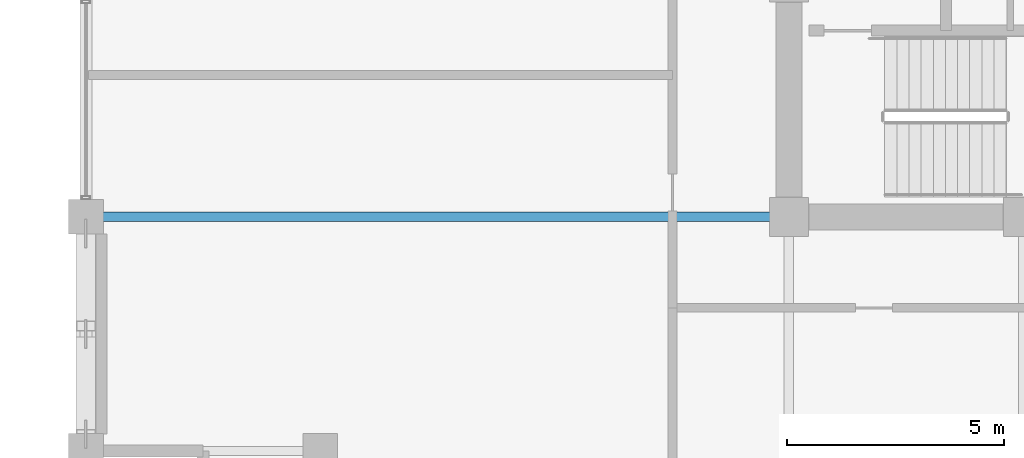
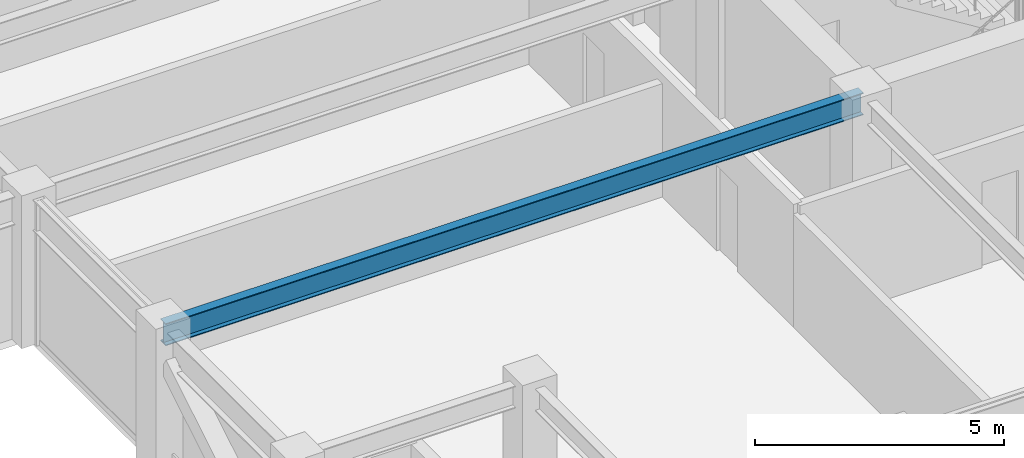
# One storey, part 5 of 30: 1 beam.
"""IFC4 building model written with IfcOpenShell, lengths in metres."""

from ifc_helpers import new_model, si_unit, direction, frame, origin, origin_2d, place, context, subcontext, project, spatial, i_section, extrude, material, material_profile, profile_set, type_object, element, save


model = new_model("IFC4")

# Units and contexts
model_context = context("Model", 3, precision=1e-05, world=origin(), true_north=direction((0.0, 1.0)))
body_context = subcontext(model_context, "Body", "Model", "MODEL_VIEW")
ifc_project = project(units=[si_unit("LENGTHUNIT", "METRE"), si_unit("AREAUNIT", "SQUARE_METRE"), si_unit("VOLUMEUNIT", "CUBIC_METRE"), si_unit("PLANEANGLEUNIT", "RADIAN"), si_unit("MASSUNIT", "GRAM", prefix="KILO")], contexts=[model_context])

# Site, building, storey
site_placement = place(None, origin())
site = spatial("IfcSite", under=ifc_project, at=site_placement, CompositionType="ELEMENT")
building_placement = place(site_placement, origin())
building = spatial("IfcBuilding", under=site, at=building_placement, Name="Surkhivell Harbour Commons", CompositionType="ELEMENT")
storey_placement = place(building_placement, frame((0.0, 0.0, 231.0)))
storey = spatial("IfcBuildingStorey", under=building, at=storey_placement, Name="L60", CompositionType="ELEMENT", Elevation=231.0)

# Beam
ifc_material = material(Name="Steel S355", Category="steel")
ifc_material_profile = material_profile(ifc_material, i_section(OverallWidth=0.2119140625, OverallDepth=0.5439453125, WebThickness=0.0126953125, FlangeThickness=0.021240234375, at=origin_2d()), Name="UB533x210x122")
ifc_profile_set = profile_set([ifc_material_profile], Name="Steel S355")
beam_type = type_object("IfcBeamType", Name="BM-GRD-533A", PredefinedType="BEAM", material=ifc_profile_set)
beam_placement = place(storey_placement, frame((-27.0, -10.800048828125, 3.298095703125), z_axis=(1.0, 0.0, 0.0), x_axis=(0.0, 1.0, 0.0)))
element("IfcBeam", 1, at=beam_placement, inside=storey, type_object=beam_type, Name="L60 Floor Girder (-27.0,-10.8)", PredefinedType="BEAM", context=body_context, shape_type="SweptSolid", body=[
    extrude(i_section(OverallWidth=0.2119140625, OverallDepth=0.5439453125, WebThickness=0.0126953125, FlangeThickness=0.021240234375, at=origin_2d()), origin(), (0.0, 0.0, 1.0), 16.199951171875),
])

save(model, "model.ifc")
